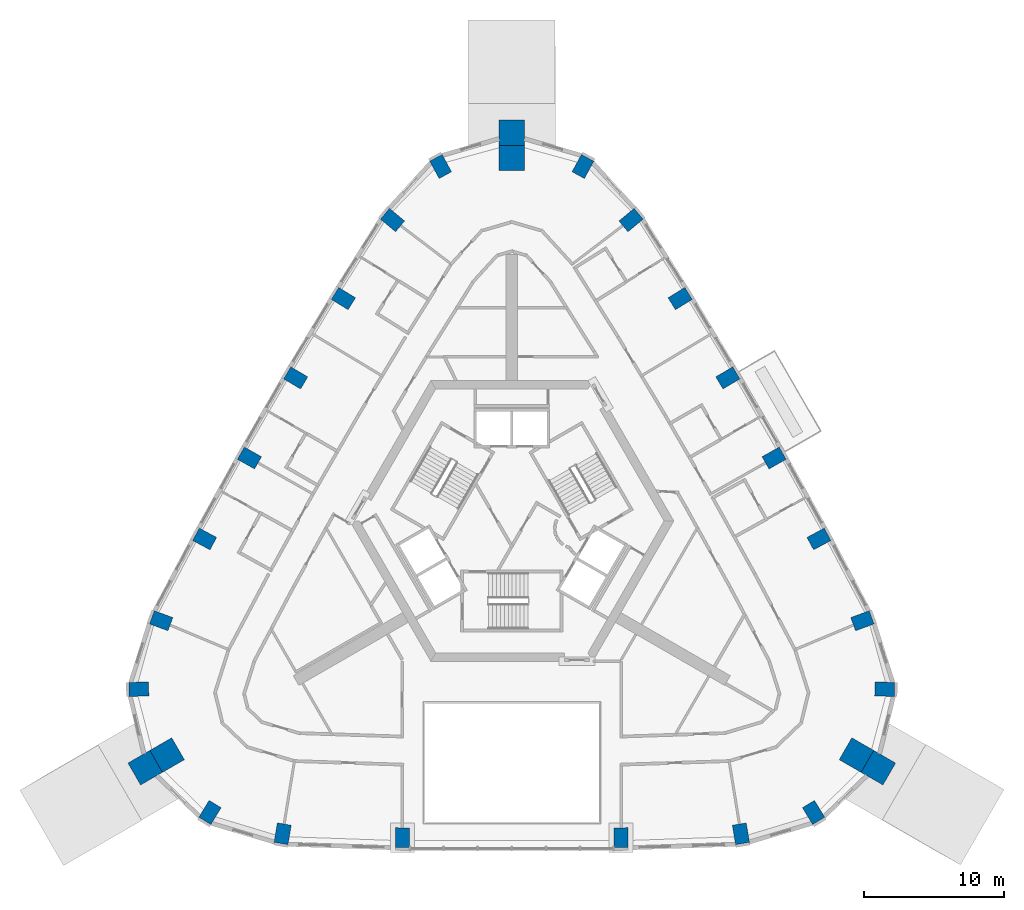
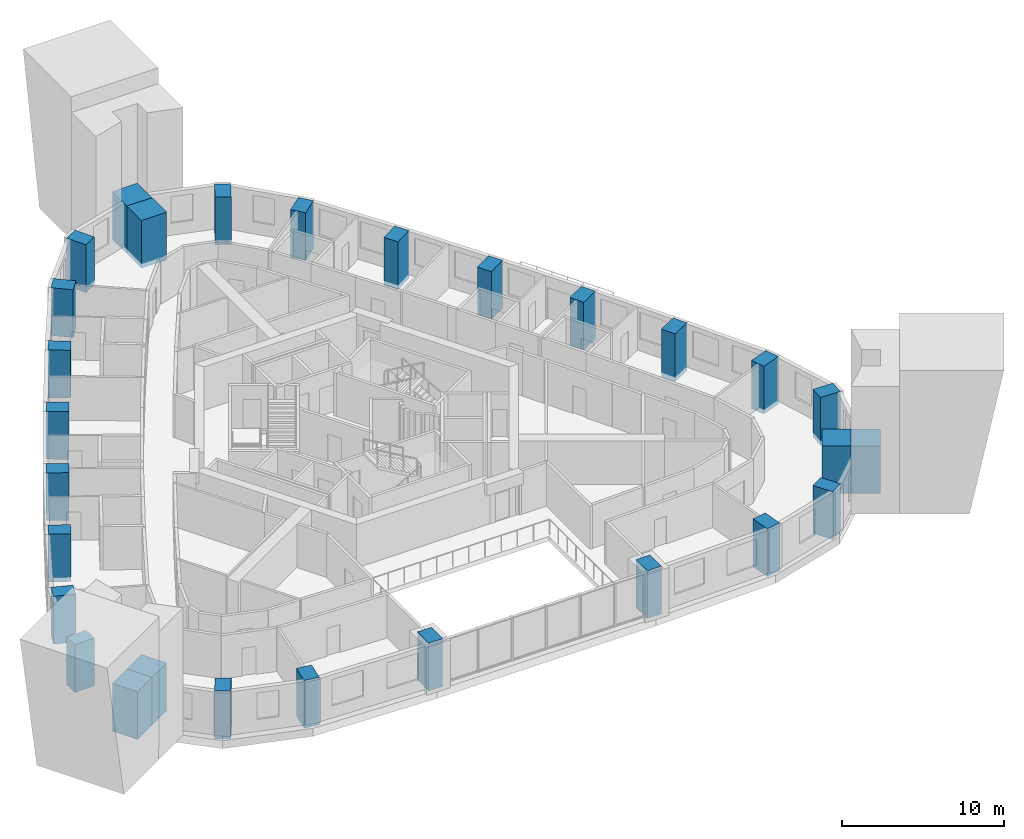
# One storey, part 1 of 13: 28 columns.
"""IFC4 building model written with IfcOpenShell, lengths in metres."""

from ifc_helpers import new_model, si_unit, direction, frame, origin, origin_2d, place, context, subcontext, project, spatial, rectangle, extrude, material, material_profile, profile_set, type_object, element, save


model = new_model("IFC4")

# Units and contexts
model_context = context("Model", 3, precision=1e-05, world=origin(), true_north=direction((0.0, 1.0)))
body_context = subcontext(model_context, "Body", "Model", "MODEL_VIEW")
ifc_project = project(units=[si_unit("LENGTHUNIT", "METRE"), si_unit("AREAUNIT", "SQUARE_METRE"), si_unit("VOLUMEUNIT", "CUBIC_METRE"), si_unit("PLANEANGLEUNIT", "RADIAN"), si_unit("MASSUNIT", "GRAM", prefix="KILO")], contexts=[model_context])

# Site, building, storey
site_placement = place(None, origin())
site = spatial("IfcSite", under=ifc_project, at=site_placement, CompositionType="ELEMENT")
building_placement = place(site_placement, origin())
building = spatial("IfcBuilding", under=site, at=building_placement, Name="Entoto Arch Interchange Tower", CompositionType="ELEMENT")
storey_placement = place(building_placement, frame((0.0, 0.0, 263.0)))
storey = spatial("IfcBuildingStorey", under=building, at=storey_placement, Name="L60", CompositionType="ELEMENT", Elevation=263.0)

# Columns
ifc_material_1 = material(Name="Concrete C40/50", Category="concrete")
ifc_material_profile_1 = material_profile(ifc_material_1, rectangle(XDim=1.0, YDim=1.39990234375, at=origin_2d()))
ifc_profile_set_1 = profile_set([ifc_material_profile_1], Name="Concrete C40/50")
column_type_1 = type_object("IfcColumnType", Name="Column RC 1000x1400 C40/50", PredefinedType="COLUMN", material=ifc_profile_set_1)
for number, where, z_axis, x_axis, name in (
    (1, (-16.330078125, -19.79296875, -0.340087890625), (0.0, 0.0, 1.0), (-0.985952343326, 0.167026874157, 0.0), "Column S01 L60"),
    (2, (-7.783935546875, -20.069091796875, -0.340087890625), (0.0, 0.0, 1.0), (-0.999832723398, 0.018290030661, 0.0), "Column S02 L60"),
    (3, (7.783935546875, -20.069091796875, -0.340087890625), (0.0, 0.0, 1.0), (0.999832723398, 0.018290030661, 0.0), "Column S03 L60"),
    (4, (16.330078125, -19.79296875, -0.340087890625), (0.0, 0.0, 1.0), (0.985952343326, 0.167026874157, 0.0), "Column S04 L60"),
    (5, (21.508056640625, -18.27392578125, -0.340087890625), (0.0, 0.0, 1.0), (0.853341581839, 0.521352227103, 0.0), "Column SE1 L60"),
    (6, (26.5791015625, -9.489013671875, -0.340087890625), (0.0, 0.0, 1.0), (0.024833482072, 0.999691601529, 0.0), "Column SE3 L60"),
    (7, (24.988037109375, -4.611083984375, -0.340087890625), (0.0, 0.0, 1.0), (-0.346853804003, 0.937919206888, 0.0), "Column NE01 L60"),
    (8, (21.889892578125, 1.217041015625, -0.340087890625), (0.0, 0.0, 1.0), (-0.473980634908, 0.880535267739, 0.0), "Column NE02 L60"),
    (9, (18.696044921875, 6.987060546875, -0.340087890625), (0.0, 0.0, 1.0), (-0.491375053773, 0.870948079124, 0.0), "Column NE03 L60"),
    (10, (15.39892578125, 12.697021484375, -0.340087890625), (0.0, 0.0, 1.0), (-0.508575635012, 0.861017318916, 0.0), "Column NE04 L60"),
    (11, (11.9990234375, 18.34912109375, -0.340087890625), (0.0, 0.0, 1.0), (-0.525575593337, 0.850746904601, 0.0), "Column NE05 L60"),
    (12, (8.5, 23.946044921875, -0.340087890625), (0.0, 0.0, 1.0), (-0.638834957861, 0.769343809109, 0.0), "Column NE06 L60"),
    (13, (5.071044921875, 27.763916015625, -0.340087890625), (0.0, 0.0, 1.0), (-0.87817506391, 0.478339374426, 0.0), "Column N1 L60"),
    (14, (-5.071044921875, 27.763916015625, -0.340087890625), (0.0, 0.0, 1.0), (0.87817506391, 0.478339374426, 0.0), "Column N3 L60"),
    (15, (-8.5, 23.946044921875, -0.340087890625), (0.0, 0.0, 1.0), (0.638834957861, 0.769343809109, 0.0), "Column NW01 L60"),
    (16, (-11.9990234375, 18.34912109375, -0.340087890625), (0.0, 0.0, 1.0), (0.525575593337, 0.850746904601, 0.0), "Column NW02 L60"),
    (17, (-15.39892578125, 12.697021484375, -0.340087890625), (0.0, 0.0, 1.0), (0.508575635012, 0.861017318916, 0.0), "Column NW03 L60"),
    (18, (-18.696044921875, 6.987060546875, -0.340087890625), (0.0, 0.0, 1.0), (0.491375053773, 0.870948079124, 0.0), "Column NW04 L60"),
    (19, (-21.889892578125, 1.217041015625, -0.340087890625), (0.0, 0.0, 1.0), (0.473980634908, 0.880535267739, 0.0), "Column NW05 L60"),
    (20, (-24.988037109375, -4.611083984375, -0.340087890625), (0.0, 0.0, 1.0), (0.346853804003, 0.937919206888, 0.0), "Column NW06 L60"),
    (21, (-26.5791015625, -9.489013671875, -0.340087890625), (0.0, 0.0, 1.0), (-0.024833482072, 0.999691601529, 0.0), "Column SW1 L60"),
    (22, (-21.508056640625, -18.27392578125, -0.340087890625), (0.0, 0.0, 1.0), (-0.853341581839, 0.521352227103, 0.0), "Column SW3 L60"),
):
    element("IfcColumn", number, at=place(storey_placement, frame(where, z_axis=z_axis, x_axis=x_axis)), inside=storey, type_object=column_type_1, Name=name, PredefinedType="COLUMN", context=body_context, shape_type="SweptSolid", body=[
        extrude(rectangle(XDim=1.0, YDim=1.39990234375, at=origin_2d()), origin(), (0.0, 0.0, 1.0), 3.60009765625),
    ])
ifc_material_2 = material(Name="Precast concrete C40/50", Category="concrete")
ifc_material_profile_2 = material_profile(ifc_material_2, rectangle(XDim=1.800048828125, YDim=1.800048828125, at=origin_2d()))
ifc_profile_set_2 = profile_set([ifc_material_profile_2], Name="Precast concrete C40/50")
column_type_2 = type_object("IfcColumnType", Name="Frame post RC 1800x1800 precast C40/50", PredefinedType="COLUMN", material=ifc_profile_set_2)
for number, where, z_axis, x_axis, name in (
    (23, (26.125, -15.083984375, -0.340087890625), (0.0, 0.0, 1.0), (-0.866025403784, 0.5, 0.0), "Frame post SE L60"),
    (24, (0.0, 30.1669921875, -0.340087890625), (0.0, 0.0, 1.0), (0.0, 1.0, 0.0), "Frame post N L60"),
    (25, (-26.125, -15.083984375, -0.340087890625), (0.0, 0.0, 1.0), (0.866025403784, 0.5, 0.0), "Frame post SW L60"),
):
    element("IfcColumn", number, at=place(storey_placement, frame(where, z_axis=z_axis, x_axis=x_axis)), inside=storey, type_object=column_type_2, Name=name, PredefinedType="COLUMN", context=body_context, shape_type="SweptSolid", body=[
        extrude(rectangle(XDim=1.800048828125, YDim=1.800048828125, at=origin_2d()), origin(), (0.0, 0.0, 1.0), 3.60009765625),
    ])
ifc_material_profile_3 = material_profile(ifc_material_1, rectangle(XDim=1.800048828125, YDim=1.800048828125, at=origin_2d()))
ifc_profile_set_3 = profile_set([ifc_material_profile_3], Name="Concrete C40/50")
column_type_3 = type_object("IfcColumnType", Name="Mega column RC 1800x1800 C40/50", PredefinedType="COLUMN", material=ifc_profile_set_3)
for number, where, z_axis, x_axis, name in (
    (26, (24.56591796875, -14.18408203125, -0.340087890625), (0.0, 0.0, 1.0), (-0.866025403784, 0.5, 0.0), "Corner mega column SE2 L60"),
    (27, (0.0, 28.366943359375, -0.340087890625), (0.0, 0.0, 1.0), (0.0, 1.0, 0.0), "Corner mega column N2 L60"),
    (28, (-24.56591796875, -14.18408203125, -0.340087890625), (0.0, 0.0, 1.0), (0.866025403784, 0.5, 0.0), "Corner mega column SW2 L60"),
):
    element("IfcColumn", number, at=place(storey_placement, frame(where, z_axis=z_axis, x_axis=x_axis)), inside=storey, type_object=column_type_3, Name=name, PredefinedType="COLUMN", context=body_context, shape_type="SweptSolid", body=[
        extrude(rectangle(XDim=1.800048828125, YDim=1.800048828125, at=origin_2d()), origin(), (0.0, 0.0, 1.0), 3.60009765625),
    ])

save(model, "model.ifc")
